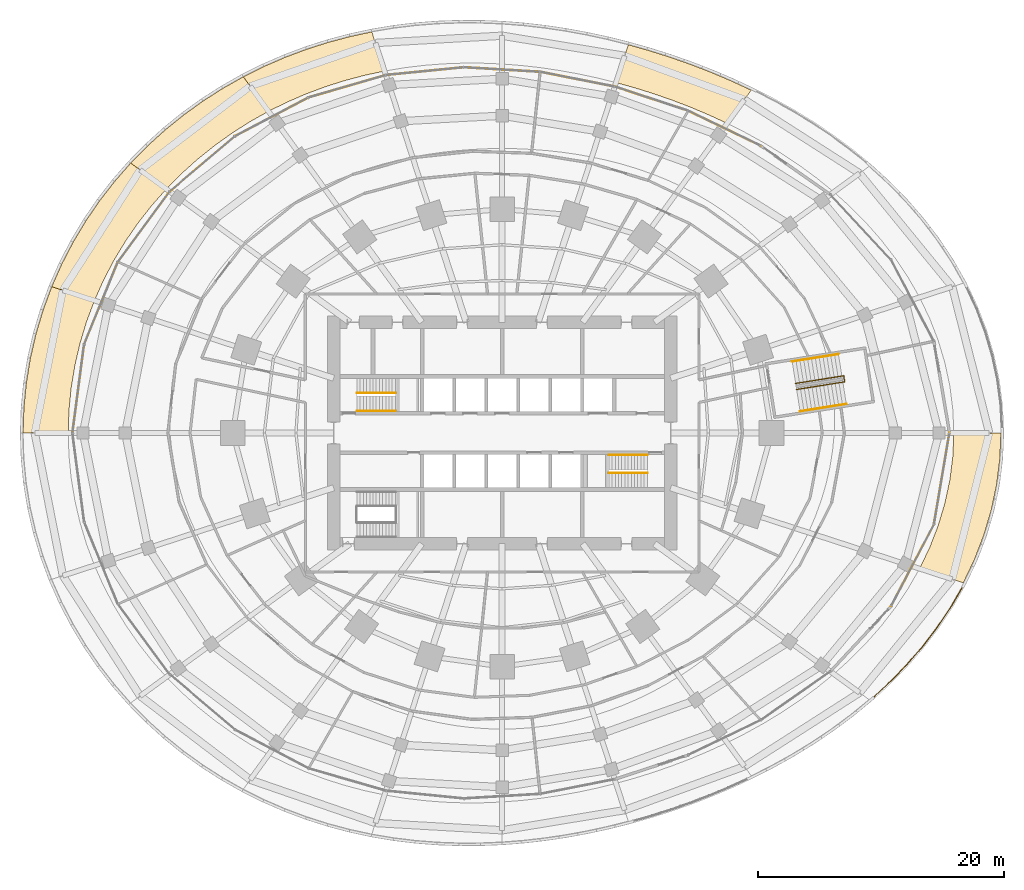
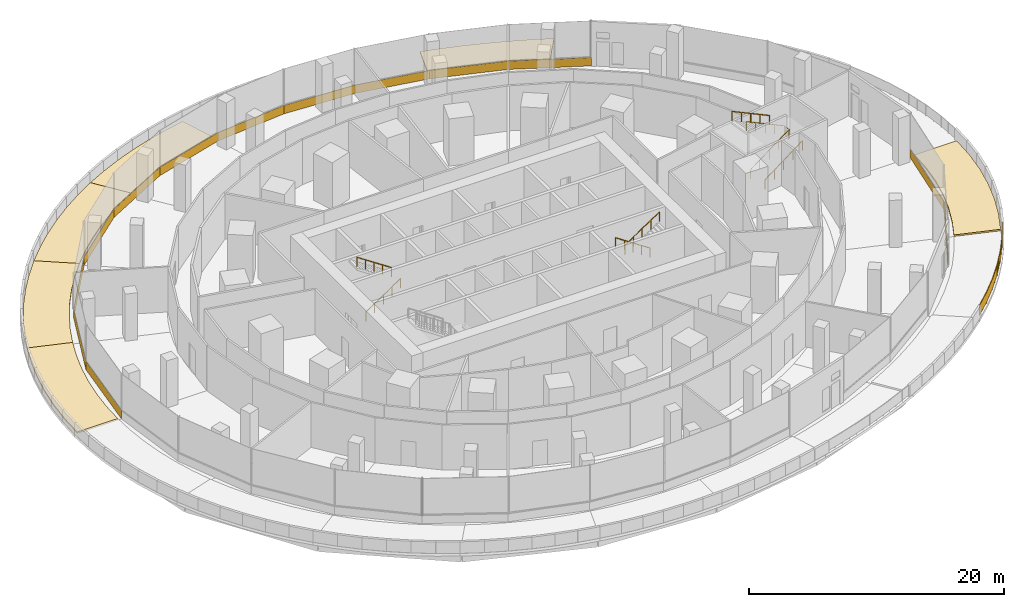
# One storey, part 26 of 27: 19 coverings, 8 railings.
"""IFC4 building model written with IfcOpenShell, lengths in metres."""

from ifc_helpers import new_model, si_unit, direction, frame, origin, origin_2d, place, context, subcontext, project, spatial, polyline, rectangle, circle, outline, extrude, material, layer, layer_set, type_object, element, save


model = new_model("IFC4")

# Units and contexts
model_context = context("Model", 3, precision=1e-05, world=origin(), true_north=direction((0.0, 1.0)))
body_context = subcontext(model_context, "Body", "Model", "MODEL_VIEW")
ifc_project = project(units=[si_unit("LENGTHUNIT", "METRE"), si_unit("AREAUNIT", "SQUARE_METRE"), si_unit("VOLUMEUNIT", "CUBIC_METRE"), si_unit("PLANEANGLEUNIT", "RADIAN"), si_unit("MASSUNIT", "GRAM", prefix="KILO")], contexts=[model_context])

# Site, building, storey
site_placement = place(None, origin())
site = spatial("IfcSite", under=ifc_project, at=site_placement, CompositionType="ELEMENT")
building_placement = place(site_placement, origin())
building = spatial("IfcBuilding", under=site, at=building_placement, Name="Marramba Exchange Tower", CompositionType="ELEMENT")
storey_placement = place(building_placement, frame((0.0, 0.0, 10.60009765625)))
storey = spatial("IfcBuildingStorey", under=building, at=storey_placement, Name="L02", CompositionType="ELEMENT", Elevation=10.60009765625)

# Coverings
ifc_material_1 = material(Name="Extensive green roof: growing medium on drainage cell, filter fabric and root-barrier membrane")
ifc_layer_1 = layer(ifc_material_1, 0.14990234375)
ifc_layer_set_1 = layer_set([ifc_layer_1], Name="Planted roof build-up 150")
covering_type_1 = type_object("IfcCoveringType", Name="Planted roof build-up 150", PredefinedType="ROOFING", material=ifc_layer_set_1)
covering_1_placement = place(storey_placement, origin())
element("IfcCovering", 1, at=covering_1_placement, inside=storey, type_object=covering_type_1, Name="Planted roof build-up L02 bay 04", PredefinedType="ROOFING", context=body_context, shape_type="SweptSolid", body=[
    extrude(outline(polyline([(18.29052734375, 25.1748046875), (16.795654296875, 25.863037109375), (15.2958984375, 26.4931640625), (13.7919921875, 27.068359375), (12.284423828125, 27.591552734375), (10.77294921875, 28.064453125), (9.256591796875, 28.48876953125), (10.255615234375, 31.563720703125), (10.255615234375, 31.563720703125), (11.9345703125, 31.0908203125), (13.607666015625, 30.5634765625), (15.27587890625, 29.98046875), (16.939208984375, 29.339599609375), (18.59765625, 28.637939453125), (20.25, 27.871826171875), (18.29052734375, 25.1748046875)])), origin(), (0.0, 0.0, 1.0), 0.14990234375),
])
covering_2_placement = place(storey_placement, origin())
element("IfcCovering", 2, at=covering_2_placement, inside=storey, type_object=covering_type_1, Name="Planted roof build-up L02 bay 07", PredefinedType="ROOFING", context=body_context, shape_type="SweptSolid", body=[
    extrude(outline(polyline([(-9.56103515625, 29.42578125), (-11.163818359375, 29.082763671875), (-12.760986328125, 28.661376953125), (-14.347900390625, 28.159423828125), (-15.920166015625, 27.574462890625), (-17.47265625, 26.905517578125), (-18.999755859375, 26.15087890625), (-21.041015625, 28.96044921875), (-21.041015625, 28.96044921875), (-19.352783203125, 29.800537109375), (-17.6357421875, 30.546142578125), (-15.89599609375, 31.19775390625), (-14.139404296875, 31.757568359375), (-12.370849609375, 32.227294921875), (-10.595458984375, 32.60986328125), (-9.56103515625, 29.42578125)])), origin(), (0.0, 0.0, 1.0), 0.14990234375),
])
covering_3_placement = place(storey_placement, origin())
element("IfcCovering", 3, at=covering_3_placement, inside=storey, type_object=covering_type_1, Name="Planted roof build-up L02 bay 08", PredefinedType="ROOFING", context=body_context, shape_type="SweptSolid", body=[
    extrude(outline(polyline([(-18.999755859375, 26.15087890625), (-20.49609375, 25.310791015625), (-21.955810546875, 24.38427734375), (-23.37255859375, 23.37255859375), (-24.740234375, 22.276123046875), (-26.052490234375, 21.096923828125), (-27.302734375, 19.836669921875), (-30.199462890625, 21.941162109375), (-28.822998046875, 23.34033203125), (-27.377197265625, 24.650390625), (-25.869140625, 25.869140625), (-24.305908203125, 26.994384765625), (-22.6943359375, 28.025146484375), (-21.041015625, 28.96044921875), (-18.999755859375, 26.15087890625)])), origin(), (0.0, 0.0, 1.0), 0.14990234375),
])
covering_4_placement = place(storey_placement, origin())
element("IfcCovering", 4, at=covering_4_placement, inside=storey, type_object=covering_type_1, Name="Planted roof build-up L02 bay 09", PredefinedType="ROOFING", context=body_context, shape_type="SweptSolid", body=[
    extrude(outline(polyline([(-27.302734375, 19.836669921875), (-28.484619140625, 18.498291015625), (-29.591796875, 17.0849609375), (-30.61767578125, 15.6005859375), (-31.55615234375, 14.049560546875), (-32.40087890625, 12.4375), (-33.146484375, 10.77001953125), (-36.61572265625, 11.897216796875), (-36.61572265625, 11.897216796875), (-35.798828125, 13.741943359375), (-34.87255859375, 15.5263671875), (-33.843017578125, 17.243896484375), (-32.71630859375, 18.888671875), (-31.49951171875, 20.4560546875), (-30.199462890625, 21.941162109375), (-30.199462890625, 21.941162109375), (-27.302734375, 19.836669921875)])), origin(), (0.0, 0.0, 1.0), 0.14990234375),
])
covering_5_placement = place(storey_placement, origin())
element("IfcCovering", 5, at=covering_5_placement, inside=storey, type_object=covering_type_1, Name="Planted roof build-up L02 bay 10", PredefinedType="ROOFING", context=body_context, shape_type="SweptSolid", body=[
    extrude(outline(polyline([(-33.146484375, 10.77001953125), (-33.787353515625, 9.05322265625), (-34.318603515625, 7.294677734375), (-34.736572265625, 5.501708984375), (-35.03759765625, 3.6826171875), (-35.21923828125, 1.845703125), (-35.280029296875, 0.0), (-38.949951171875, 0.0), (-38.883544921875, 2.037841796875), (-38.68505859375, 4.06591796875), (-38.35595703125, 6.074951171875), (-37.89892578125, 8.0556640625), (-37.3173828125, 9.999267578125), (-36.61572265625, 11.897216796875), (-33.146484375, 10.77001953125)])), origin(), (0.0, 0.0, 1.0), 0.14990234375),
])
covering_6_placement = place(storey_placement, origin())
element("IfcCovering", 6, at=covering_6_placement, inside=storey, type_object=covering_type_1, Name="Planted roof build-up L02 bay 20", PredefinedType="ROOFING", context=body_context, shape_type="SweptSolid", body=[
    extrude(outline(polyline([(33.93505859375, -11.026123046875), (34.756591796875, -9.31298828125), (35.447509765625, -7.53466796875), (35.9970703125, -5.701416015625), (36.396484375, -3.825439453125), (36.638671875, -1.920166015625), (36.719970703125, 0.0), (40.550048828125, 0.0), (40.4609375, -2.120361328125), (40.195068359375, -4.224609375), (39.7568359375, -6.296875), (39.153564453125, -8.322265625), (38.39501953125, -10.287841796875), (37.492431640625, -12.18212890625), (37.492431640625, -12.18212890625), (33.93505859375, -11.026123046875)])), origin(), (0.0, 0.0, 1.0), 0.14990234375),
])
ifc_material_2 = material(Name="Aluminium spandrel panel, bronze anodised, insulated", Category="aluminium")
ifc_layer_2 = layer(ifc_material_2, 0.050048828125)
ifc_layer_set_2 = layer_set([ifc_layer_2], Name="Spandrel panel 800")
covering_type_2 = type_object("IfcCoveringType", Name="Spandrel panel 800", PredefinedType="CLADDING", material=ifc_layer_set_2)
covering_7_placement = place(storey_placement, frame((18.071533203125, 24.768798828125, 0.0), z_axis=(0.0, 0.0, 1.0), x_axis=(-0.900955999326, 0.433910459979, 0.0)))
element("IfcCovering", 7, at=covering_7_placement, inside=storey, type_object=covering_type_2, Name="Spandrel panel SP1 L02 F05", PredefinedType="CLADDING", context=body_context, shape_type="SweptSolid", body=[
    extrude(rectangle(XDim=6.55029296875, YDim=0.050048828125, at=origin_2d()), origin(), (0.0, 0.0, 1.0), 0.800048828125),
])
covering_8_placement = place(storey_placement, frame((12.134521484375, 27.1728515625, 0.0), z_axis=(0.0, 0.0, 1.0), x_axis=(-0.949867650248, 0.312652278117, 0.0)))
element("IfcCovering", 8, at=covering_8_placement, inside=storey, type_object=covering_type_2, Name="Spandrel panel SP1 L02 F06", PredefinedType="CLADDING", context=body_context, shape_type="SweptSolid", body=[
    extrude(rectangle(XDim=6.28759765625, YDim=0.050048828125, at=origin_2d()), origin(), (0.0, 0.0, 1.0), 0.800048828125),
])
covering_9_placement = place(storey_placement, frame((6.11669921875, 28.75439453125, 0.0), z_axis=(0.0, 0.0, 1.0), x_axis=(-0.981067096824, 0.193668147948, 0.0)))
element("IfcCovering", 9, at=covering_9_placement, inside=storey, type_object=covering_type_2, Name="Spandrel panel SP1 L02 F07", PredefinedType="CLADDING", context=body_context, shape_type="SweptSolid", body=[
    extrude(rectangle(XDim=6.180419921875, YDim=0.050048828125, at=origin_2d()), origin(), (0.0, 0.0, 1.0), 0.800048828125),
])
covering_10_placement = place(storey_placement, frame((-0.01953125, 29.53759765625, 0.0), z_axis=(0.0, 0.0, 1.0), x_axis=(-0.998234861164, 0.0593899146, 0.0)))
element("IfcCovering", 10, at=covering_10_placement, inside=storey, type_object=covering_type_2, Name="Spandrel panel SP1 L02 F08", PredefinedType="CLADDING", context=body_context, shape_type="SweptSolid", body=[
    extrude(rectangle(XDim=6.219970703125, YDim=0.050048828125, at=origin_2d()), origin(), (0.0, 0.0, 1.0), 0.800048828125),
])
covering_11_placement = place(storey_placement, frame((-6.288330078125, 29.407470703125, 0.0), z_axis=(0.0, 0.0, 1.0), x_axis=(-0.995093649921, -0.098937494844, 0.0)))
element("IfcCovering", 11, at=covering_11_placement, inside=storey, type_object=covering_type_2, Name="Spandrel panel SP1 L02 F09", PredefinedType="CLADDING", context=body_context, shape_type="SweptSolid", body=[
    extrude(rectangle(XDim=6.360107421875, YDim=0.050048828125, at=origin_2d()), origin(), (0.0, 0.0, 1.0), 0.800048828125),
])
covering_12_placement = place(storey_placement, frame((-12.59912109375, 28.18212890625, 0.0), z_axis=(0.0, 0.0, 1.0), x_axis=(-0.960559279133, -0.278075297844, 0.0)))
element("IfcCovering", 12, at=covering_12_placement, inside=storey, type_object=covering_type_2, Name="Spandrel panel SP1 L02 F10", PredefinedType="CLADDING", context=body_context, shape_type="SweptSolid", body=[
    extrude(rectangle(XDim=6.550537109375, YDim=0.050048828125, at=origin_2d()), origin(), (0.0, 0.0, 1.0), 0.800048828125),
])
covering_13_placement = place(storey_placement, frame((-18.7333984375, 25.69775390625, 0.0), z_axis=(0.0, 0.0, 1.0), x_axis=(-0.88482139404, -0.4659303603, 0.0)))
element("IfcCovering", 13, at=covering_13_placement, inside=storey, type_object=covering_type_2, Name="Spandrel panel SP1 L02 F11", PredefinedType="CLADDING", context=body_context, shape_type="SweptSolid", body=[
    extrude(rectangle(XDim=6.75439453125, YDim=0.050048828125, at=origin_2d()), origin(), (0.0, 0.0, 1.0), 0.800048828125),
])
covering_14_placement = place(storey_placement, frame((-24.37060546875, 21.877685546875, 0.0), z_axis=(0.0, 0.0, 1.0), x_axis=(-0.762643245828, -0.646819356229, 0.0)))
element("IfcCovering", 14, at=covering_14_placement, inside=storey, type_object=covering_type_2, Name="Spandrel panel SP1 L02 F12", PredefinedType="CLADDING", context=body_context, shape_type="SweptSolid", body=[
    extrude(rectangle(XDim=6.94677734375, YDim=0.050048828125, at=origin_2d()), origin(), (0.0, 0.0, 1.0), 0.800048828125),
])
covering_15_placement = place(storey_placement, frame((-29.1279296875, 16.76904296875, 0.0), z_axis=(0.0, 0.0, 1.0), x_axis=(-0.593136259524, -0.805102091438, 0.0)))
element("IfcCovering", 15, at=covering_15_placement, inside=storey, type_object=covering_type_2, Name="Spandrel panel SP1 L02 F13", PredefinedType="CLADDING", context=body_context, shape_type="SweptSolid", body=[
    extrude(rectangle(XDim=7.109130859375, YDim=0.050048828125, at=origin_2d()), origin(), (0.0, 0.0, 1.0), 0.800048828125),
])
covering_16_placement = place(storey_placement, frame((-32.6064453125, 10.564697265625, 0.0), z_axis=(0.0, 0.0, 1.0), x_axis=(-0.379239669648, -0.925298477771, 0.0)))
element("IfcCovering", 16, at=covering_16_placement, inside=storey, type_object=covering_type_2, Name="Spandrel panel SP1 L02 F14", PredefinedType="CLADDING", context=body_context, shape_type="SweptSolid", body=[
    extrude(rectangle(XDim=7.22509765625, YDim=0.050048828125, at=origin_2d()), origin(), (0.0, 0.0, 1.0), 0.800048828125),
])
covering_17_placement = place(storey_placement, frame((-34.453125, 3.61083984375, 0.0), z_axis=(0.0, 0.0, 1.0), x_axis=(-0.130911282376, -0.991394087206, 0.0)))
element("IfcCovering", 17, at=covering_17_placement, inside=storey, type_object=covering_type_2, Name="Spandrel panel SP1 L02 F15", PredefinedType="CLADDING", context=body_context, shape_type="SweptSolid", body=[
    extrude(rectangle(XDim=7.28466796875, YDim=0.050048828125, at=origin_2d()), origin(), (0.0, 0.0, 1.0), 0.800048828125),
])
covering_18_placement = place(storey_placement, frame((33.366943359375, -10.77197265625, 0.0), z_axis=(0.0, 0.0, 1.0), x_axis=(0.46491901553, 0.885353211435, 0.0)))
element("IfcCovering", 18, at=covering_18_placement, inside=storey, type_object=covering_type_2, Name="Spandrel panel SP1 L02 F29", PredefinedType="CLADDING", context=body_context, shape_type="SweptSolid", body=[
    extrude(rectangle(XDim=7.4775390625, YDim=0.050048828125, at=origin_2d()), origin(), (0.0, 0.0, 1.0), 0.800048828125),
])
covering_19_placement = place(storey_placement, frame((35.737548828125, -3.73095703125, 0.0), z_axis=(0.0, 0.0, 1.0), x_axis=(0.167117732293, 0.985936947047, 0.0)))
element("IfcCovering", 19, at=covering_19_placement, inside=storey, type_object=covering_type_2, Name="Spandrel panel SP1 L02 F30", PredefinedType="CLADDING", context=body_context, shape_type="SweptSolid", body=[
    extrude(rectangle(XDim=7.568359375, YDim=0.050048828125, at=origin_2d()), origin(), (0.0, 0.0, 1.0), 0.800048828125),
])

# Railings
ifc_material_3 = material(Name="Stainless steel handrail", Category="steel")
railing_type_1 = type_object("IfcRailingType", Name="Stair handrail 900", PredefinedType="HANDRAIL", material=ifc_material_3)
railing_1_placement = place(storey_placement, frame((-11.800048828125, 1.800048828125, 0.173095703125)))
element("IfcRailing", 20, at=railing_1_placement, inside=storey, type_object=railing_type_1, Name="Handrail HR1 ST1 L02 flight 1", PredefinedType="HANDRAIL", context=body_context, shape_type="SweptSolid", body=[
    extrude(circle(Radius=0.02392578125, at=origin_2d()), frame((0.0, 0.0, 0.8759765625), z_axis=(0.83244090515, 0.0, 0.554113832559), x_axis=(0.0, 1.0, 0.0)), (0.0, 0.0, 1.0), 3.748046875),
    extrude(circle(Radius=0.02099609375, at=origin_2d()), origin(), (0.0, 0.0, 1.0), 0.851806640625),
    extrude(circle(Radius=0.02099609375, at=origin_2d()), frame((0.780029296875, 0.0, 0.519287109375)), (0.0, 0.0, 1.0), 0.851806640625),
    extrude(circle(Radius=0.02099609375, at=origin_2d()), frame((1.56005859375, 0.0, 1.03857421875)), (0.0, 0.0, 1.0), 0.851806640625),
    extrude(circle(Radius=0.02099609375, at=origin_2d()), frame((2.340087890625, 0.0, 1.5576171875)), (0.0, 0.0, 1.0), 0.851806640625),
    extrude(circle(Radius=0.02099609375, at=origin_2d()), frame((3.1201171875, 0.0, 2.076904296875)), (0.0, 0.0, 1.0), 0.851806640625),
])
for number, where, name in (
    (21, (-8.679931640625, 3.25, 2.423095703125), "Handrail HR1 ST1 L02 flight 2"),
    (22, (11.800048828125, -1.800048828125, 0.173095703125), "Handrail HR1 ST2 L02 flight 1"),
):
    element("IfcRailing", number, at=place(storey_placement, frame(where)), inside=storey, type_object=railing_type_1, Name=name, PredefinedType="HANDRAIL", context=body_context, shape_type="SweptSolid", body=[
        extrude(circle(Radius=0.02392578125, at=origin_2d()), frame((0.0, 0.0, 0.8759765625), z_axis=(-0.83244090515, 0.0, 0.554113832559), x_axis=(0.0, -1.0, 0.0)), (0.0, 0.0, 1.0), 3.748046875),
        extrude(circle(Radius=0.02099609375, at=origin_2d()), origin(), (0.0, 0.0, 1.0), 0.851806640625),
        extrude(circle(Radius=0.02099609375, at=origin_2d()), frame((-0.780029296875, 0.0, 0.519287109375)), (0.0, 0.0, 1.0), 0.851806640625),
        extrude(circle(Radius=0.02099609375, at=origin_2d()), frame((-1.56005859375, 0.0, 1.03857421875)), (0.0, 0.0, 1.0), 0.851806640625),
        extrude(circle(Radius=0.02099609375, at=origin_2d()), frame((-2.340087890625, 0.0, 1.5576171875)), (0.0, 0.0, 1.0), 0.851806640625),
        extrude(circle(Radius=0.02099609375, at=origin_2d()), frame((-3.1201171875, 0.0, 2.076904296875)), (0.0, 0.0, 1.0), 0.851806640625),
    ])
railing_2_placement = place(storey_placement, frame((8.679931640625, -3.25, 2.423095703125)))
element("IfcRailing", 23, at=railing_2_placement, inside=storey, type_object=railing_type_1, Name="Handrail HR1 ST2 L02 flight 2", PredefinedType="HANDRAIL", context=body_context, shape_type="SweptSolid", body=[
    extrude(circle(Radius=0.02392578125, at=origin_2d()), frame((0.0, 0.0, 0.8759765625), z_axis=(0.83244090515, 0.0, 0.554113832559), x_axis=(0.0, 1.0, 0.0)), (0.0, 0.0, 1.0), 3.748046875),
    extrude(circle(Radius=0.02099609375, at=origin_2d()), origin(), (0.0, 0.0, 1.0), 0.851806640625),
    extrude(circle(Radius=0.02099609375, at=origin_2d()), frame((0.780029296875, 0.0, 0.519287109375)), (0.0, 0.0, 1.0), 0.851806640625),
    extrude(circle(Radius=0.02099609375, at=origin_2d()), frame((1.56005859375, 0.0, 1.03857421875)), (0.0, 0.0, 1.0), 0.851806640625),
    extrude(circle(Radius=0.02099609375, at=origin_2d()), frame((2.340087890625, 0.0, 1.5576171875)), (0.0, 0.0, 1.0), 0.851806640625),
    extrude(circle(Radius=0.02099609375, at=origin_2d()), frame((3.1201171875, 0.0, 2.076904296875)), (0.0, 0.0, 1.0), 0.851806640625),
])
railing_3_placement = place(storey_placement, frame((24.22265625, 1.760986328125, 0.173095703125)))
element("IfcRailing", 24, at=railing_3_placement, inside=storey, type_object=railing_type_1, Name="Handrail HR1 ST4 L02 flight 1 right", PredefinedType="HANDRAIL", context=body_context, shape_type="SweptSolid", body=[
    extrude(circle(Radius=0.02392578125, at=origin_2d()), frame((0.0, 0.0, 0.8759765625), z_axis=(0.866907963868, 0.137274509938, 0.479193375479), x_axis=(-0.156400873956, 0.987693660315, 0.0)), (0.0, 0.0, 1.0), 4.334228515625),
    extrude(circle(Radius=0.02099609375, at=origin_2d()), origin(), (0.0, 0.0, 1.0), 0.851806640625),
    extrude(circle(Radius=0.02099609375, at=origin_2d()), frame((0.939453125, 0.148681640625, 0.519287109375)), (0.0, 0.0, 1.0), 0.851806640625),
    extrude(circle(Radius=0.02099609375, at=origin_2d()), frame((1.878662109375, 0.29736328125, 1.03857421875)), (0.0, 0.0, 1.0), 0.851806640625),
    extrude(circle(Radius=0.02099609375, at=origin_2d()), frame((2.81787109375, 0.4462890625, 1.5576171875)), (0.0, 0.0, 1.0), 0.851806640625),
    extrude(circle(Radius=0.02099609375, at=origin_2d()), frame((3.75732421875, 0.594970703125, 2.076904296875)), (0.0, 0.0, 1.0), 0.851806640625),
])
railing_4_placement = place(storey_placement, frame((27.338623046875, 6.405517578125, 2.423095703125)))
element("IfcRailing", 25, at=railing_4_placement, inside=storey, type_object=railing_type_1, Name="Handrail HR1 ST4 L02 flight 2 right", PredefinedType="HANDRAIL", context=body_context, shape_type="SweptSolid", body=[
    extrude(circle(Radius=0.02392578125, at=origin_2d()), frame((0.0, 0.0, 0.8759765625), z_axis=(-0.866907963868, -0.137274509938, 0.479193375479), x_axis=(0.156400873956, -0.987693660315, 0.0)), (0.0, 0.0, 1.0), 4.334228515625),
    extrude(circle(Radius=0.02099609375, at=origin_2d()), origin(), (0.0, 0.0, 1.0), 0.851806640625),
    extrude(circle(Radius=0.02099609375, at=origin_2d()), frame((-0.939453125, -0.148681640625, 0.519287109375)), (0.0, 0.0, 1.0), 0.851806640625),
    extrude(circle(Radius=0.02099609375, at=origin_2d()), frame((-1.878662109375, -0.29736328125, 1.03857421875)), (0.0, 0.0, 1.0), 0.851806640625),
    extrude(circle(Radius=0.02099609375, at=origin_2d()), frame((-2.81787109375, -0.4462890625, 1.5576171875)), (0.0, 0.0, 1.0), 0.851806640625),
    extrude(circle(Radius=0.02099609375, at=origin_2d()), frame((-3.75732421875, -0.594970703125, 2.076904296875)), (0.0, 0.0, 1.0), 0.851806640625),
])
railing_5_placement = place(storey_placement, frame((23.941162109375, 3.538818359375, 0.173095703125)))
element("IfcRailing", 26, at=railing_5_placement, inside=storey, type_object=railing_type_1, Name="Handrail HR1 ST4 L02 inner, continuous", PredefinedType="HANDRAIL", context=body_context, shape_type="SweptSolid", body=[
    extrude(circle(Radius=0.02392578125, at=origin_2d()), frame((0.0, 0.0, 0.8759765625), z_axis=(0.866893966668, 0.137281213644, 0.479216776558), x_axis=(-0.156410788489, 0.987692090301, 0.0)), (0.0, 0.0, 1.0), 4.333984375),
    extrude(circle(Radius=0.02392578125, at=origin_2d()), frame((3.757080078125, 0.594970703125, 2.95263671875), z_axis=(0.98772335246, 0.156213248494, 0.0), x_axis=(-0.156213248494, 0.98772335246, 0.0)), (0.0, 0.0, 1.0), 0.150146484375),
    extrude(circle(Radius=0.02392578125, at=origin_2d()), frame((3.9052734375, 0.618408203125, 2.95263671875), z_axis=(-0.156238359769, 0.987719380663, 0.0), x_axis=(-0.987719380663, -0.156238359769, 0.0)), (0.0, 0.0, 1.0), 0.5),
    extrude(circle(Radius=0.02392578125, at=origin_2d()), frame((3.8271484375, 1.1123046875, 2.95263671875), z_axis=(-0.646937004704, -0.102316231387, 0.755648000553), x_axis=(0.156213248494, -0.98772335246, 0.0)), (0.0, 0.0, 1.0), 0.22900390625),
    extrude(circle(Radius=0.02392578125, at=origin_2d()), frame((3.678955078125, 1.0888671875, 3.1259765625), z_axis=(-0.866893966668, -0.137281213644, 0.479216776558), x_axis=(0.156410788489, -0.987692090301, 0.0)), (0.0, 0.0, 1.0), 4.333984375),
    extrude(circle(Radius=0.02099609375, at=origin_2d()), origin(), (0.0, 0.0, 1.0), 0.851806640625),
    extrude(circle(Radius=0.02099609375, at=origin_2d()), frame((0.939208984375, 0.148681640625, 0.519287109375)), (0.0, 0.0, 1.0), 0.851806640625),
    extrude(circle(Radius=0.02099609375, at=origin_2d()), frame((1.87841796875, 0.29736328125, 1.03857421875)), (0.0, 0.0, 1.0), 0.851806640625),
    extrude(circle(Radius=0.02099609375, at=origin_2d()), frame((2.81787109375, 0.4462890625, 1.5576171875)), (0.0, 0.0, 1.0), 0.851806640625),
    extrude(circle(Radius=0.02099609375, at=origin_2d()), frame((3.757080078125, 0.594970703125, 2.076904296875)), (0.0, 0.0, 1.0), 0.851806640625),
    extrude(circle(Radius=0.02099609375, at=origin_2d()), frame((3.9052734375, 0.618408203125, 2.076904296875)), (0.0, 0.0, 1.0), 0.851806640625),
    extrude(circle(Radius=0.02099609375, at=origin_2d()), frame((3.8271484375, 1.1123046875, 2.076904296875)), (0.0, 0.0, 1.0), 0.851806640625),
    extrude(circle(Radius=0.02099609375, at=origin_2d()), frame((3.678955078125, 1.0888671875, 2.25)), (0.0, 0.0, 1.0), 0.851806640625),
    extrude(circle(Radius=0.02099609375, at=origin_2d()), frame((2.73974609375, 0.940185546875, 2.769287109375)), (0.0, 0.0, 1.0), 0.851806640625),
    extrude(circle(Radius=0.02099609375, at=origin_2d()), frame((1.80029296875, 0.79150390625, 3.28857421875)), (0.0, 0.0, 1.0), 0.851806640625),
    extrude(circle(Radius=0.02099609375, at=origin_2d()), frame((0.861083984375, 0.642578125, 3.8076171875)), (0.0, 0.0, 1.0), 0.851806640625),
    extrude(circle(Radius=0.02099609375, at=origin_2d()), frame((-0.078125, 0.493896484375, 4.326904296875)), (0.0, 0.0, 1.0), 0.851806640625),
])
ifc_material_4 = material(Name="Bronze anodised aluminium and laminated glass guard", Category="aluminium")
railing_type_2 = type_object("IfcRailingType", Name="Terrace guard 1100", PredefinedType="GUARDRAIL", material=ifc_material_4)
railing_6_placement = place(storey_placement, frame((30.215576171875, -21.459228515625, 0.0)))
element("IfcRailing", 27, at=railing_6_placement, inside=storey, type_object=railing_type_2, Name="Terrace guard GR1 L02 bay 19", PredefinedType="GUARDRAIL", context=body_context, shape_type="SweptSolid", body=[
    extrude(circle(Radius=0.02392578125, at=origin_2d()), frame((0.0, 0.0, 1.076171875), z_axis=(0.733100161117, 0.680120690591, 0.0), x_axis=(-0.680120690591, 0.733100161117, 0.0)), (0.0, 0.0, 1.0), 1.870849609375),
    extrude(circle(Radius=0.02392578125, at=origin_2d()), frame((1.37158203125, 1.2724609375, 1.076171875), z_axis=(0.696309150005, 0.717741992375, 0.0), x_axis=(-0.717741992375, 0.696309150005, 0.0)), (0.0, 0.0, 1.0), 1.890869140625),
    extrude(circle(Radius=0.02392578125, at=origin_2d()), frame((2.688232421875, 2.629638671875, 1.076171875), z_axis=(0.65525673223, 0.75540625816, 0.0), x_axis=(-0.75540625816, 0.65525673223, 0.0)), (0.0, 0.0, 1.0), 1.90869140625),
    extrude(circle(Radius=0.02392578125, at=origin_2d()), frame((3.93896484375, 4.071533203125, 1.076171875), z_axis=(0.609735275334, 0.792605131206, 0.0), x_axis=(-0.792605131206, 0.609735275334, 0.0)), (0.0, 0.0, 1.0), 1.925048828125),
    extrude(circle(Radius=0.02392578125, at=origin_2d()), frame((5.11279296875, 5.597412109375, 1.076171875), z_axis=(0.55945555783, 0.828860349404, 0.0), x_axis=(-0.828860349404, 0.55945555783, 0.0)), (0.0, 0.0, 1.0), 1.939208984375),
    extrude(circle(Radius=0.02392578125, at=origin_2d()), frame((6.19775390625, 7.204833984375, 1.076171875), z_axis=(0.504563174748, 0.863374775337, 0.0), x_axis=(-0.863374775337, 0.504563174748, 0.0)), (0.0, 0.0, 1.0), 1.951416015625),
    extrude(circle(Radius=0.02099609375, at=origin_2d()), origin(), (0.0, 0.0, 1.0), 1.052001953125),
    extrude(circle(Radius=0.02099609375, at=origin_2d()), frame((0.685791015625, 0.63623046875, 0.0)), (0.0, 0.0, 1.0), 1.052001953125),
    extrude(circle(Radius=0.02099609375, at=origin_2d()), frame((1.37158203125, 1.2724609375, 0.0)), (0.0, 0.0, 1.0), 1.052001953125),
    extrude(circle(Radius=0.02099609375, at=origin_2d()), frame((2.02978515625, 1.951171875, 0.0)), (0.0, 0.0, 1.0), 1.052001953125),
    extrude(circle(Radius=0.02099609375, at=origin_2d()), frame((2.688232421875, 2.629638671875, 0.0)), (0.0, 0.0, 1.0), 1.052001953125),
    extrude(circle(Radius=0.02099609375, at=origin_2d()), frame((3.3134765625, 3.3505859375, 0.0)), (0.0, 0.0, 1.0), 1.052001953125),
    extrude(circle(Radius=0.02099609375, at=origin_2d()), frame((3.93896484375, 4.071533203125, 0.0)), (0.0, 0.0, 1.0), 1.052001953125),
    extrude(circle(Radius=0.02099609375, at=origin_2d()), frame((4.52587890625, 4.83447265625, 0.0)), (0.0, 0.0, 1.0), 1.052001953125),
    extrude(circle(Radius=0.02099609375, at=origin_2d()), frame((5.11279296875, 5.597412109375, 0.0)), (0.0, 0.0, 1.0), 1.052001953125),
    extrude(circle(Radius=0.02099609375, at=origin_2d()), frame((5.6552734375, 6.401123046875, 0.0)), (0.0, 0.0, 1.0), 1.052001953125),
    extrude(circle(Radius=0.02099609375, at=origin_2d()), frame((6.19775390625, 7.204833984375, 0.0)), (0.0, 0.0, 1.0), 1.052001953125),
    extrude(circle(Radius=0.02099609375, at=origin_2d()), frame((6.68994140625, 8.04736328125, 0.0)), (0.0, 0.0, 1.0), 1.052001953125),
    extrude(circle(Radius=0.02099609375, at=origin_2d()), frame((7.182373046875, 8.8896484375, 0.0)), (0.0, 0.0, 1.0), 1.052001953125),
    extrude(rectangle(XDim=0.91748046875, YDim=0.02001953125, at=origin_2d()), frame((0.3427734375, 0.318115234375, 0.10009765625), z_axis=(0.0, 0.0, 1.0), x_axis=(0.733100161117, 0.680120690591, 0.0)), (0.0, 0.0, 1.0), 0.951904296875),
    extrude(rectangle(XDim=0.91748046875, YDim=0.02001953125, at=origin_2d()), frame((1.02880859375, 0.954345703125, 0.10009765625), z_axis=(0.0, 0.0, 1.0), x_axis=(0.733100161117, 0.680120690591, 0.0)), (0.0, 0.0, 1.0), 0.951904296875),
    extrude(rectangle(XDim=0.927490234375, YDim=0.02001953125, at=origin_2d()), frame((1.70068359375, 1.61181640625, 0.10009765625), z_axis=(0.0, 0.0, 1.0), x_axis=(0.696309150005, 0.717741992375, 0.0)), (0.0, 0.0, 1.0), 0.951904296875),
    extrude(rectangle(XDim=0.927490234375, YDim=0.02001953125, at=origin_2d()), frame((2.359130859375, 2.290283203125, 0.10009765625), z_axis=(0.0, 0.0, 1.0), x_axis=(0.696309150005, 0.717741992375, 0.0)), (0.0, 0.0, 1.0), 0.951904296875),
    extrude(rectangle(XDim=0.936279296875, YDim=0.02001953125, at=origin_2d()), frame((3.0009765625, 2.990234375, 0.10009765625), z_axis=(0.0, 0.0, 1.0), x_axis=(0.65525673223, 0.75540625816, 0.0)), (0.0, 0.0, 1.0), 0.951904296875),
    extrude(rectangle(XDim=0.936279296875, YDim=0.02001953125, at=origin_2d()), frame((3.626220703125, 3.7109375, 0.10009765625), z_axis=(0.0, 0.0, 1.0), x_axis=(0.65525673223, 0.75540625816, 0.0)), (0.0, 0.0, 1.0), 0.951904296875),
    extrude(rectangle(XDim=0.944580078125, YDim=0.02001953125, at=origin_2d()), frame((4.232421875, 4.453125, 0.10009765625), z_axis=(0.0, 0.0, 1.0), x_axis=(0.609735275334, 0.792605131206, 0.0)), (0.0, 0.0, 1.0), 0.951904296875),
    extrude(rectangle(XDim=0.944580078125, YDim=0.02001953125, at=origin_2d()), frame((4.8193359375, 5.2158203125, 0.10009765625), z_axis=(0.0, 0.0, 1.0), x_axis=(0.609735275334, 0.792605131206, 0.0)), (0.0, 0.0, 1.0), 0.951904296875),
    extrude(rectangle(XDim=0.95166015625, YDim=0.02001953125, at=origin_2d()), frame((5.384033203125, 5.999267578125, 0.10009765625), z_axis=(0.0, 0.0, 1.0), x_axis=(0.55945555783, 0.828860349404, 0.0)), (0.0, 0.0, 1.0), 0.951904296875),
    extrude(rectangle(XDim=0.95166015625, YDim=0.02001953125, at=origin_2d()), frame((5.926513671875, 6.802978515625, 0.10009765625), z_axis=(0.0, 0.0, 1.0), x_axis=(0.55945555783, 0.828860349404, 0.0)), (0.0, 0.0, 1.0), 0.951904296875),
    extrude(rectangle(XDim=0.957763671875, YDim=0.02001953125, at=origin_2d()), frame((6.44384765625, 7.6259765625, 0.10009765625), z_axis=(0.0, 0.0, 1.0), x_axis=(0.504563174748, 0.863374775337, 0.0)), (0.0, 0.0, 1.0), 0.951904296875),
    extrude(rectangle(XDim=0.957763671875, YDim=0.02001953125, at=origin_2d()), frame((6.936279296875, 8.468505859375, 0.10009765625), z_axis=(0.0, 0.0, 1.0), x_axis=(0.504563174748, 0.863374775337, 0.0)), (0.0, 0.0, 1.0), 0.951904296875),
])

save(model, "model.ifc")
